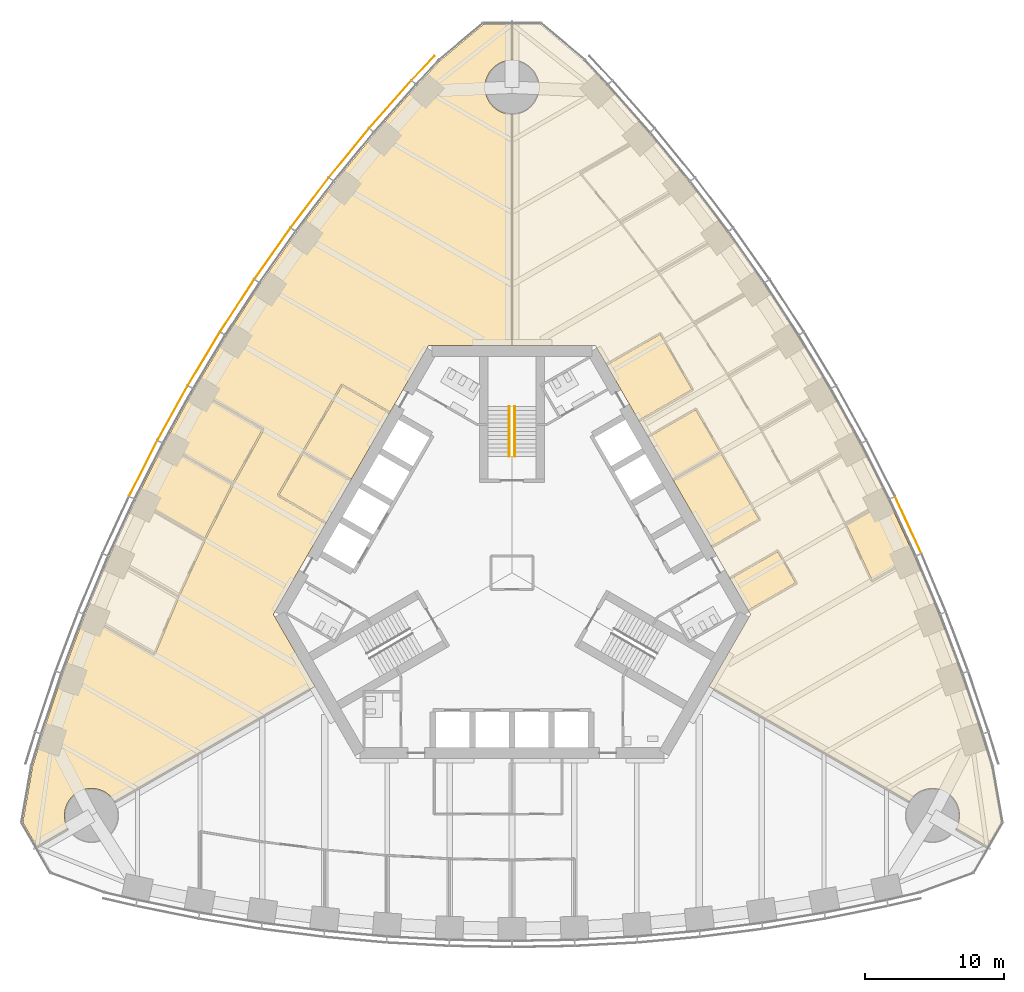
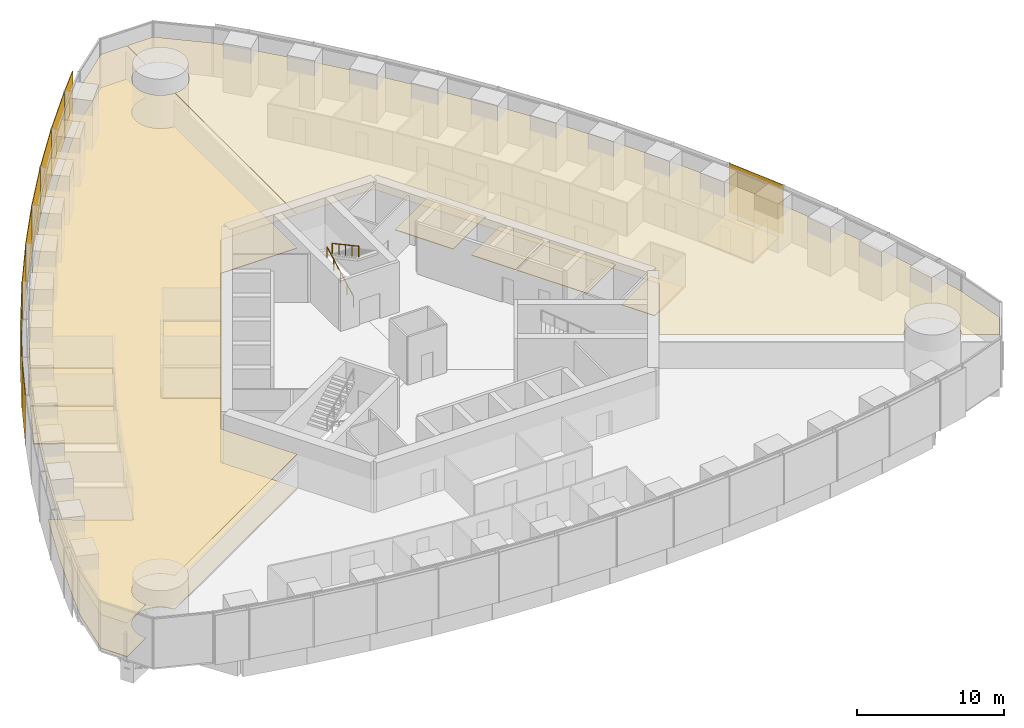
# One storey, part 15 of 18: 12 coverings, 10 shading devices, 2 railings.
"""IFC4 building model written with IfcOpenShell, lengths in metres."""

from ifc_helpers import new_model, si_unit, direction, frame, origin, origin_2d, place, context, subcontext, project, spatial, polyline, rectangle, circle, outline, extrude, material, layer, layer_set, type_object, element, save


model = new_model("IFC4")

# Units and contexts
model_context = context("Model", 3, precision=1e-05, world=origin(), true_north=direction((0.0, 1.0)))
body_context = subcontext(model_context, "Body", "Model", "MODEL_VIEW")
ifc_project = project(units=[si_unit("LENGTHUNIT", "METRE"), si_unit("AREAUNIT", "SQUARE_METRE"), si_unit("VOLUMEUNIT", "CUBIC_METRE"), si_unit("PLANEANGLEUNIT", "RADIAN"), si_unit("MASSUNIT", "GRAM", prefix="KILO")], contexts=[model_context])

# Site, building, storey
site_placement = place(None, origin())
site = spatial("IfcSite", under=ifc_project, at=site_placement, CompositionType="ELEMENT")
building_placement = place(site_placement, origin())
building = spatial("IfcBuilding", under=site, at=building_placement, Name="Trefoil Bronze Tower", CompositionType="ELEMENT")
storey_placement = place(building_placement, frame((0.0, 0.0, 157.699951171875)))
storey = spatial("IfcBuildingStorey", under=building, at=storey_placement, Name="L36", CompositionType="ELEMENT", Elevation=157.699951171875)

# Shading devices
ifc_material_1 = material(Name="Perforated bronze sheet", Category="bronze")
ifc_layer_1 = layer(ifc_material_1, 0.0400390625)
ifc_layer_set_1 = layer_set([ifc_layer_1], Name="Bronze solar screen panel")
shading_device_type = type_object("IfcShadingDeviceType", Name="Bronze solar screen panel", PredefinedType="SHUTTER", material=ifc_layer_set_1)
shading_device_1_placement = place(storey_placement, frame((28.563720703125, 3.444580078125, 0.050048828125), z_axis=(0.0, 0.0, 1.0), x_axis=(-0.419932995871, 0.907555110712, 0.0)))
element("IfcShadingDevice", 1, at=shading_device_1_placement, inside=storey, type_object=shading_device_type, Name="Solar screen CW-A L36 F2 bay 5", PredefinedType="SHUTTER", context=body_context, shape_type="SweptSolid", body=[
    extrude(rectangle(XDim=4.48828125, YDim=0.0400390625, at=origin_2d()), origin(), (0.0, 0.0, 1.0), 4.10009765625),
])
shading_device_2_placement = place(storey_placement, frame((-6.416748046875, 36.383544921875, 0.050048828125), z_axis=(0.0, 0.0, 1.0), x_axis=(-0.682535770759, -0.730852188636, 0.0)))
element("IfcShadingDevice", 2, at=shading_device_2_placement, inside=storey, type_object=shading_device_type, Name="Solar screen CW-A L36 F3 bay 1", PredefinedType="SHUTTER", context=body_context, shape_type="SweptSolid", body=[
    extrude(rectangle(XDim=2.39013671875, YDim=0.0400390625, at=origin_2d()), origin(), (0.0, 0.0, 1.0), 4.10009765625),
])
shading_device_3_placement = place(storey_placement, frame((-8.77197265625, 33.766845703125, 0.050048828125), z_axis=(0.0, 0.0, 1.0), x_axis=(-0.661751405978, -0.749723333428, 0.0)))
element("IfcShadingDevice", 3, at=shading_device_3_placement, inside=storey, type_object=shading_device_type, Name="Solar screen CW-A L36 F3 bay 2", PredefinedType="SHUTTER", context=body_context, shape_type="SweptSolid", body=[
    extrude(rectangle(XDim=4.56103515625, YDim=0.0400390625, at=origin_2d()), origin(), (0.0, 0.0, 1.0), 4.10009765625),
])
shading_device_4_placement = place(storey_placement, frame((-11.7490234375, 30.26708984375, 0.050048828125), z_axis=(0.0, 0.0, 1.0), x_axis=(-0.633839916024, -0.773464259584, 0.0)))
element("IfcShadingDevice", 4, at=shading_device_4_placement, inside=storey, type_object=shading_device_type, Name="Solar screen CW-A L36 F3 bay 3", PredefinedType="SHUTTER", context=body_context, shape_type="SweptSolid", body=[
    extrude(rectangle(XDim=4.5302734375, YDim=0.0400390625, at=origin_2d()), origin(), (0.0, 0.0, 1.0), 4.10009765625),
])
shading_device_5_placement = place(storey_placement, frame((-14.579345703125, 26.6826171875, 0.050048828125), z_axis=(0.0, 0.0, 1.0), x_axis=(-0.605252319983, -0.796033685943, 0.0)))
element("IfcShadingDevice", 5, at=shading_device_5_placement, inside=storey, type_object=shading_device_type, Name="Solar screen CW-A L36 F3 bay 4", PredefinedType="SHUTTER", context=body_context, shape_type="SweptSolid", body=[
    extrude(rectangle(XDim=4.50634765625, YDim=0.0400390625, at=origin_2d()), origin(), (0.0, 0.0, 1.0), 4.10009765625),
])
shading_device_6_placement = place(storey_placement, frame((-17.264892578125, 23.014404296875, 0.050048828125), z_axis=(0.0, 0.0, 1.0), x_axis=(-0.575999283275, -0.817450197667, 0.0)))
element("IfcShadingDevice", 6, at=shading_device_6_placement, inside=storey, type_object=shading_device_type, Name="Solar screen CW-A L36 F3 bay 5", PredefinedType="SHUTTER", context=body_context, shape_type="SweptSolid", body=[
    extrude(rectangle(XDim=4.48828125, YDim=0.0400390625, at=origin_2d()), origin(), (0.0, 0.0, 1.0), 4.10009765625),
])
shading_device_7_placement = place(storey_placement, frame((-19.8076171875, 19.263916015625, 0.050048828125), z_axis=(0.0, 0.0, 1.0), x_axis=(-0.546088612237, -0.837727418427, 0.0)))
element("IfcShadingDevice", 7, at=shading_device_7_placement, inside=storey, type_object=shading_device_type, Name="Solar screen CW-A L36 F3 bay 6", PredefinedType="SHUTTER", context=body_context, shape_type="SweptSolid", body=[
    extrude(rectangle(XDim=4.4765625, YDim=0.0400390625, at=origin_2d()), origin(), (0.0, 0.0, 1.0), 4.10009765625),
])
for number, where, z_axis, x_axis, name in (
    (8, (-22.208740234375, 15.431396484375, 0.050048828125), (0.0, 0.0, 1.0), (-0.515525413486, -0.856874289526, 0.0), "Solar screen CW-A L36 F3 bay 7"),
    (9, (-24.468505859375, 11.517578125, 0.050048828125), (0.0, 0.0, 1.0), (-0.484312195836, -0.874895249138, 0.0), "Solar screen CW-A L36 F3 bay 8"),
):
    element("IfcShadingDevice", number, at=place(storey_placement, frame(where, z_axis=z_axis, x_axis=x_axis)), inside=storey, type_object=shading_device_type, Name=name, PredefinedType="SHUTTER", context=body_context, shape_type="SweptSolid", body=[
        extrude(rectangle(XDim=4.470703125, YDim=0.0400390625, at=origin_2d()), origin(), (0.0, 0.0, 1.0), 4.10009765625),
    ])
shading_device_8_placement = place(storey_placement, frame((-26.5869140625, 7.52197265625, 0.050048828125), z_axis=(0.0, 0.0, 1.0), x_axis=(-0.452448919686, -0.891790320128, 0.0)))
element("IfcShadingDevice", 10, at=shading_device_8_placement, inside=storey, type_object=shading_device_type, Name="Solar screen CW-A L36 F3 bay 9", PredefinedType="SHUTTER", context=body_context, shape_type="SweptSolid", body=[
    extrude(rectangle(XDim=4.4765625, YDim=0.0400390625, at=origin_2d()), origin(), (0.0, 0.0, 1.0), 4.10009765625),
])

# Railings
ifc_material_2 = material(Name="Steel handrail", Category="steel")
railing_type = type_object("IfcRailingType", Name="Handrail 900", PredefinedType="HANDRAIL", material=ifc_material_2)
railing_1_placement = place(storey_placement, frame((-0.199951171875, 8.389892578125, 0.16162109375)))
element("IfcRailing", 11, at=railing_1_placement, inside=storey, type_object=railing_type, Name="Handrail ST2 flight 1 L36", PredefinedType="HANDRAIL", context=body_context, shape_type="SweptSolid", body=[
    extrude(circle(Radius=0.02392578125, at=origin_2d()), frame((0.0, 0.0, 0.8759765625), z_axis=(0.0, 0.880474934443, 0.474092701714), x_axis=(-1.0, 0.0, 0.0)), (0.0, 0.0, 1.0), 4.0888671875),
    extrude(circle(Radius=0.02099609375, at=origin_2d()), origin(), (0.0, 0.0, 1.0), 0.851806640625),
    extrude(circle(Radius=0.02099609375, at=origin_2d()), frame((0.0, 0.89990234375, 0.484619140625)), (0.0, 0.0, 1.0), 0.851806640625),
    extrude(circle(Radius=0.02099609375, at=origin_2d()), frame((0.0, 1.800048828125, 0.96923828125)), (0.0, 0.0, 1.0), 0.851806640625),
    extrude(circle(Radius=0.02099609375, at=origin_2d()), frame((0.0, 2.7001953125, 1.453857421875)), (0.0, 0.0, 1.0), 0.851806640625),
    extrude(circle(Radius=0.02099609375, at=origin_2d()), frame((0.0, 3.60009765625, 1.9384765625)), (0.0, 0.0, 1.0), 0.851806640625),
])
railing_2_placement = place(storey_placement, frame((0.199951171875, 11.989990234375, 2.261474609375)))
element("IfcRailing", 12, at=railing_2_placement, inside=storey, type_object=railing_type, Name="Handrail ST2 flight 2 L36", PredefinedType="HANDRAIL", context=body_context, shape_type="SweptSolid", body=[
    extrude(circle(Radius=0.02392578125, at=origin_2d()), frame((0.0, 0.0, 0.8759765625), z_axis=(0.0, -0.880474934443, 0.474092701714), x_axis=(1.0, 0.0, 0.0)), (0.0, 0.0, 1.0), 4.0888671875),
    extrude(circle(Radius=0.02099609375, at=origin_2d()), origin(), (0.0, 0.0, 1.0), 0.851806640625),
    extrude(circle(Radius=0.02099609375, at=origin_2d()), frame((0.0, -0.89990234375, 0.484619140625)), (0.0, 0.0, 1.0), 0.851806640625),
    extrude(circle(Radius=0.02099609375, at=origin_2d()), frame((0.0, -1.800048828125, 0.96923828125)), (0.0, 0.0, 1.0), 0.851806640625),
    extrude(circle(Radius=0.02099609375, at=origin_2d()), frame((0.0, -2.7001953125, 1.453857421875)), (0.0, 0.0, 1.0), 0.851806640625),
    extrude(circle(Radius=0.02099609375, at=origin_2d()), frame((0.0, -3.60009765625, 1.9384765625)), (0.0, 0.0, 1.0), 0.851806640625),
])

# Coverings
ifc_material_3 = material(Name="Acoustic ceiling panels", Category="mineral fibre")
ifc_layer_2 = layer(ifc_material_3, 0.02001953125)
ifc_layer_set_2 = layer_set([ifc_layer_2], Name="Office ceiling 20")
covering_type_1 = type_object("IfcCoveringType", Name="Office ceiling 20", PredefinedType="CEILING", material=ifc_layer_set_2)
covering_1_placement = place(storey_placement, frame((0.0, 0.0, 2.900146484375)))
element("IfcCovering", 13, at=covering_1_placement, inside=storey, type_object=covering_type_1, Name="Ceiling L36 Open-plan office F2", PredefinedType="CEILING", context=body_context, shape_type="SweptSolid", body=[
    extrude(outline(polyline([(6.847900390625, 35.130615234375), (9.885986328125, 31.6884765625), (12.776611328125, 28.1611328125), (15.522216796875, 24.55029296875), (18.124755859375, 20.856689453125), (20.585693359375, 17.081298828125), (22.906005859375, 13.224853515625), (25.085693359375, 9.287109375), (27.124755859375, 5.268310546875), (29.022216796875, 1.16748046875), (30.776611328125, -3.015625), (32.385986328125, -7.28271484375), (33.847900390625, -11.634765625), (34.5537109375, -13.94970703125), (35.2666015625, -17.99169921875), (34.247802734375, -19.755859375), (32.006103515625, -18.462646484375), (32.030517578125, -18.419189453125), (32.07373046875, -18.333740234375), (32.112548828125, -18.24609375), (32.14697265625, -18.156982421875), (32.177001953125, -18.066162109375), (32.202392578125, -17.973876953125), (32.223388671875, -17.88037109375), (32.23974609375, -17.7861328125), (32.25146484375, -17.691162109375), (32.258544921875, -17.595703125), (32.260986328125, -17.5), (32.258544921875, -17.404296875), (32.25146484375, -17.308837890625), (32.23974609375, -17.2138671875), (32.223388671875, -17.11962890625), (32.202392578125, -17.026123046875), (32.177001953125, -16.933837890625), (32.14697265625, -16.843017578125), (32.112548828125, -16.75390625), (32.07373046875, -16.666259765625), (32.030517578125, -16.580810546875), (31.9833984375, -16.49755859375), (31.932373046875, -16.41650390625), (31.877197265625, -16.33837890625), (31.818359375, -16.262939453125), (31.755615234375, -16.1904296875), (31.689697265625, -16.12109375), (31.620361328125, -16.05517578125), (31.548095703125, -15.99267578125), (31.472412109375, -15.93359375), (31.394287109375, -15.878662109375), (31.3134765625, -15.827392578125), (31.22998046875, -15.7802734375), (31.14453125, -15.7373046875), (31.05712890625, -15.698486328125), (30.9677734375, -15.6640625), (30.876953125, -15.634033203125), (30.78466796875, -15.6083984375), (30.69140625, -15.58740234375), (30.596923828125, -15.571044921875), (30.501953125, -15.559326171875), (30.406494140625, -15.55224609375), (30.310791015625, -15.550048828125), (30.215087890625, -15.55224609375), (30.119873046875, -15.559326171875), (30.02490234375, -15.571044921875), (29.930419921875, -15.58740234375), (29.837158203125, -15.6083984375), (29.744873046875, -15.634033203125), (29.654052734375, -15.6640625), (29.564697265625, -15.698486328125), (29.477294921875, -15.7373046875), (29.3916015625, -15.7802734375), (29.308349609375, -15.827392578125), (29.2275390625, -15.878662109375), (29.1494140625, -15.93359375), (29.07373046875, -15.99267578125), (29.001220703125, -16.05517578125), (28.931884765625, -16.12109375), (28.865966796875, -16.1904296875), (28.803466796875, -16.262939453125), (28.74462890625, -16.33837890625), (28.689453125, -16.41650390625), (28.628662109375, -16.514404296875), (14.205810546875, -8.194580078125), (17.205078125, -3.0), (6.00439453125, 16.39990234375), (0.006103515625, 16.39990234375), (0.012451171875, 33.05029296875), (0.095703125, 33.05224609375), (0.191162109375, 33.059326171875), (0.2861328125, 33.071044921875), (0.38037109375, 33.08740234375), (0.473876953125, 33.1083984375), (0.566162109375, 33.134033203125), (0.656982421875, 33.1640625), (0.74609375, 33.198486328125), (0.833740234375, 33.2373046875), (0.919189453125, 33.2802734375), (1.00244140625, 33.327392578125), (1.08349609375, 33.378662109375), (1.16162109375, 33.43359375), (1.237060546875, 33.49267578125), (1.3095703125, 33.55517578125), (1.37890625, 33.62109375), (1.44482421875, 33.6904296875), (1.50732421875, 33.762939453125), (1.56640625, 33.83837890625), (1.621337890625, 33.91650390625), (1.672607421875, 33.99755859375), (1.7197265625, 34.080810546875), (1.7626953125, 34.166259765625), (1.801513671875, 34.25390625), (1.8359375, 34.343017578125), (1.865966796875, 34.433837890625), (1.8916015625, 34.526123046875), (1.91259765625, 34.61962890625), (1.928955078125, 34.7138671875), (1.940673828125, 34.808837890625), (1.94775390625, 34.904296875), (1.949951171875, 35.0), (1.94775390625, 35.095703125), (1.940673828125, 35.191162109375), (1.928955078125, 35.2861328125), (1.91259765625, 35.38037109375), (1.8916015625, 35.473876953125), (1.865966796875, 35.566162109375), (1.8359375, 35.656982421875), (1.801513671875, 35.74609375), (1.7626953125, 35.833740234375), (1.7197265625, 35.919189453125), (1.672607421875, 36.00244140625), (1.621337890625, 36.08349609375), (1.56640625, 36.16162109375), (1.50732421875, 36.237060546875), (1.44482421875, 36.3095703125), (1.37890625, 36.37890625), (1.3095703125, 36.44482421875), (1.237060546875, 36.50732421875), (1.16162109375, 36.56640625), (1.08349609375, 36.621337890625), (1.00244140625, 36.672607421875), (0.919189453125, 36.7197265625), (0.833740234375, 36.7626953125), (0.74609375, 36.801513671875), (0.656982421875, 36.8359375), (0.566162109375, 36.865966796875), (0.473876953125, 36.8916015625), (0.38037109375, 36.91259765625), (0.2861328125, 36.928955078125), (0.191162109375, 36.940673828125), (0.095703125, 36.94775390625), (0.013916015625, 36.94970703125), (0.014892578125, 39.53759765625), (2.052001953125, 39.53759765625), (5.1962890625, 36.8994140625), (6.847900390625, 35.130615234375)])), origin(), (0.0, 0.0, 1.0), 0.02001953125),
])
covering_2_placement = place(storey_placement, frame((0.0, 0.0, 2.900146484375)))
element("IfcCovering", 14, at=covering_2_placement, inside=storey, type_object=covering_type_1, Name="Ceiling L36 Open-plan office F3", PredefinedType="CEILING", context=body_context, shape_type="SweptSolid", body=[
    extrude(outline(polyline([(-33.847900390625, -11.634765625), (-32.385986328125, -7.28271484375), (-30.776611328125, -3.015625), (-29.022216796875, 1.16748046875), (-27.124755859375, 5.268310546875), (-25.085693359375, 9.287109375), (-22.906005859375, 13.224853515625), (-20.585693359375, 17.081298828125), (-18.124755859375, 20.856689453125), (-15.522216796875, 24.55029296875), (-12.776611328125, 28.1611328125), (-9.885986328125, 31.6884765625), (-6.847900390625, 35.130615234375), (-5.1962890625, 36.8994140625), (-2.052001953125, 39.53759765625), (-0.014892578125, 39.53759765625), (-0.013916015625, 36.94970703125), (-0.095703125, 36.94775390625), (-0.191162109375, 36.940673828125), (-0.2861328125, 36.928955078125), (-0.38037109375, 36.91259765625), (-0.473876953125, 36.8916015625), (-0.566162109375, 36.865966796875), (-0.656982421875, 36.8359375), (-0.74609375, 36.801513671875), (-0.833740234375, 36.7626953125), (-0.919189453125, 36.7197265625), (-1.00244140625, 36.672607421875), (-1.08349609375, 36.621337890625), (-1.16162109375, 36.56640625), (-1.237060546875, 36.50732421875), (-1.3095703125, 36.44482421875), (-1.37890625, 36.37890625), (-1.44482421875, 36.3095703125), (-1.50732421875, 36.237060546875), (-1.56640625, 36.16162109375), (-1.621337890625, 36.08349609375), (-1.672607421875, 36.00244140625), (-1.7197265625, 35.919189453125), (-1.7626953125, 35.833740234375), (-1.801513671875, 35.74609375), (-1.8359375, 35.656982421875), (-1.865966796875, 35.566162109375), (-1.8916015625, 35.473876953125), (-1.91259765625, 35.38037109375), (-1.928955078125, 35.2861328125), (-1.940673828125, 35.191162109375), (-1.94775390625, 35.095703125), (-1.949951171875, 35.0), (-1.94775390625, 34.904296875), (-1.940673828125, 34.808837890625), (-1.928955078125, 34.7138671875), (-1.91259765625, 34.61962890625), (-1.8916015625, 34.526123046875), (-1.865966796875, 34.433837890625), (-1.8359375, 34.343017578125), (-1.801513671875, 34.25390625), (-1.7626953125, 34.166259765625), (-1.7197265625, 34.080810546875), (-1.672607421875, 33.99755859375), (-1.621337890625, 33.91650390625), (-1.56640625, 33.83837890625), (-1.50732421875, 33.762939453125), (-1.44482421875, 33.6904296875), (-1.37890625, 33.62109375), (-1.3095703125, 33.55517578125), (-1.237060546875, 33.49267578125), (-1.16162109375, 33.43359375), (-1.08349609375, 33.378662109375), (-1.00244140625, 33.327392578125), (-0.919189453125, 33.2802734375), (-0.833740234375, 33.2373046875), (-0.74609375, 33.198486328125), (-0.656982421875, 33.1640625), (-0.566162109375, 33.134033203125), (-0.473876953125, 33.1083984375), (-0.38037109375, 33.08740234375), (-0.2861328125, 33.071044921875), (-0.191162109375, 33.059326171875), (-0.095703125, 33.05224609375), (-0.012451171875, 33.05029296875), (-0.006103515625, 16.39990234375), (-6.00439453125, 16.39990234375), (-17.205078125, -3.0), (-14.205810546875, -8.194580078125), (-28.628662109375, -16.514404296875), (-28.689453125, -16.41650390625), (-28.74462890625, -16.33837890625), (-28.803466796875, -16.262939453125), (-28.865966796875, -16.1904296875), (-28.931884765625, -16.12109375), (-29.001220703125, -16.05517578125), (-29.07373046875, -15.99267578125), (-29.1494140625, -15.93359375), (-29.2275390625, -15.878662109375), (-29.308349609375, -15.827392578125), (-29.3916015625, -15.7802734375), (-29.477294921875, -15.7373046875), (-29.564697265625, -15.698486328125), (-29.654052734375, -15.6640625), (-29.744873046875, -15.634033203125), (-29.837158203125, -15.6083984375), (-29.930419921875, -15.58740234375), (-30.02490234375, -15.571044921875), (-30.119873046875, -15.559326171875), (-30.215087890625, -15.55224609375), (-30.310791015625, -15.550048828125), (-30.406494140625, -15.55224609375), (-30.501953125, -15.559326171875), (-30.596923828125, -15.571044921875), (-30.69140625, -15.58740234375), (-30.78466796875, -15.6083984375), (-30.876953125, -15.634033203125), (-30.9677734375, -15.6640625), (-31.05712890625, -15.698486328125), (-31.14453125, -15.7373046875), (-31.22998046875, -15.7802734375), (-31.3134765625, -15.827392578125), (-31.394287109375, -15.878662109375), (-31.472412109375, -15.93359375), (-31.548095703125, -15.99267578125), (-31.620361328125, -16.05517578125), (-31.689697265625, -16.12109375), (-31.755615234375, -16.1904296875), (-31.818359375, -16.262939453125), (-31.877197265625, -16.33837890625), (-31.932373046875, -16.41650390625), (-31.9833984375, -16.49755859375), (-32.030517578125, -16.580810546875), (-32.07373046875, -16.666259765625), (-32.112548828125, -16.75390625), (-32.14697265625, -16.843017578125), (-32.177001953125, -16.933837890625), (-32.202392578125, -17.026123046875), (-32.223388671875, -17.11962890625), (-32.23974609375, -17.2138671875), (-32.25146484375, -17.308837890625), (-32.258544921875, -17.404296875), (-32.260986328125, -17.5), (-32.258544921875, -17.595703125), (-32.25146484375, -17.691162109375), (-32.23974609375, -17.7861328125), (-32.223388671875, -17.88037109375), (-32.202392578125, -17.973876953125), (-32.177001953125, -18.066162109375), (-32.14697265625, -18.156982421875), (-32.112548828125, -18.24609375), (-32.07373046875, -18.333740234375), (-32.030517578125, -18.419189453125), (-32.006103515625, -18.462646484375), (-34.247802734375, -19.755859375), (-35.2666015625, -17.99169921875), (-34.5537109375, -13.94970703125), (-33.847900390625, -11.634765625)])), origin(), (0.0, 0.0, 1.0), 0.02001953125),
])
ifc_material_4 = material(Name="Raised access floor panels", Category="steel")
ifc_layer_3 = layer(ifc_material_4, 0.050048828125)
ifc_layer_set_3 = layer_set([ifc_layer_3], Name="Raised access floor 150")
covering_type_2 = type_object("IfcCoveringType", Name="Raised access floor 150", PredefinedType="FLOORING", material=ifc_layer_set_3)
covering_3_placement = place(storey_placement, frame((0.0, 0.0, 0.10009765625)))
element("IfcCovering", 15, at=covering_3_placement, inside=storey, type_object=covering_type_2, Name="Raised floor L36 Reception F2", PredefinedType="FLOORING", context=body_context, shape_type="SweptSolid", body=[
    extrude(outline(polyline([(6.834716796875, 14.9619140625), (10.679931640625, 17.181884765625), (12.969970703125, 13.215576171875), (9.124755859375, 10.99560546875), (6.834716796875, 14.9619140625)])), origin(), (0.0, 0.0, 1.0), 0.050048828125),
])
covering_4_placement = place(storey_placement, frame((0.0, 0.0, 0.10009765625)))
element("IfcCovering", 16, at=covering_4_placement, inside=storey, type_object=covering_type_2, Name="Raised floor L36 Meeting room F2", PredefinedType="FLOORING", context=body_context, shape_type="SweptSolid", body=[
    extrude(outline(polyline([(11.634765625, 6.64794921875), (15.046875, 8.617919921875), (17.786865234375, 3.872314453125), (14.374755859375, 1.902099609375), (11.634765625, 6.64794921875)])), origin(), (0.0, 0.0, 1.0), 0.050048828125),
])
covering_5_placement = place(storey_placement, frame((0.0, 0.0, 0.10009765625)))
element("IfcCovering", 17, at=covering_5_placement, inside=storey, type_object=covering_type_2, Name="Raised floor L36 Meeting room F2", PredefinedType="FLOORING", context=body_context, shape_type="SweptSolid", body=[
    extrude(outline(polyline([(9.834716796875, 9.765625), (13.246826171875, 11.735595703125), (14.98681640625, 8.721923828125), (11.57470703125, 6.751953125), (9.834716796875, 9.765625)])), origin(), (0.0, 0.0, 1.0), 0.050048828125),
])
covering_6_placement = place(storey_placement, frame((0.0, 0.0, 0.10009765625)))
element("IfcCovering", 18, at=covering_6_placement, inside=storey, type_object=covering_type_2, Name="Raised floor L36 Pantry F2", PredefinedType="FLOORING", context=body_context, shape_type="SweptSolid", body=[
    extrude(outline(polyline([(15.734619140625, -0.453369140625), (19.14697265625, 1.5166015625), (20.43701171875, -0.7177734375), (17.024658203125, -2.687744140625), (15.734619140625, -0.453369140625)])), origin(), (0.0, 0.0, 1.0), 0.050048828125),
])
covering_7_placement = place(storey_placement, frame((0.0, 0.0, 0.10009765625)))
element("IfcCovering", 19, at=covering_7_placement, inside=storey, type_object=covering_type_2, Name="Raised floor L36 Comms room F2", PredefinedType="FLOORING", context=body_context, shape_type="SweptSolid", body=[
    extrude(outline(polyline([(27.124755859375, 5.268310546875), (29.022216796875, 1.16748046875), (27.602294921875, 0.347900390625), (27.572509765625, 0.399658203125), (25.9619140625, -0.530029296875), (24.114990234375, 3.461181640625), (25.739501953125, 4.399169921875), (25.709716796875, 4.451171875), (27.124755859375, 5.268310546875)])), origin(), (0.0, 0.0, 1.0), 0.050048828125),
])
covering_8_placement = place(storey_placement, frame((0.0, 0.0, 0.10009765625)))
element("IfcCovering", 20, at=covering_8_placement, inside=storey, type_object=covering_type_2, Name="Raised floor L36 Meeting room F3", PredefinedType="FLOORING", context=body_context, shape_type="SweptSolid", body=[
    extrude(outline(polyline([(-11.57470703125, 6.751953125), (-14.98681640625, 8.721923828125), (-12.246826171875, 13.4677734375), (-8.834716796875, 11.497802734375), (-11.57470703125, 6.751953125)])), origin(), (0.0, 0.0, 1.0), 0.050048828125),
])
covering_9_placement = place(storey_placement, frame((0.0, 0.0, 0.10009765625)))
element("IfcCovering", 21, at=covering_9_placement, inside=storey, type_object=covering_type_2, Name="Raised floor L36 Meeting room F3", PredefinedType="FLOORING", context=body_context, shape_type="SweptSolid", body=[
    extrude(outline(polyline([(-13.374755859375, 3.63427734375), (-16.786865234375, 5.604248046875), (-15.046875, 8.617919921875), (-11.634765625, 6.64794921875), (-13.374755859375, 3.63427734375)])), origin(), (0.0, 0.0, 1.0), 0.050048828125),
])
covering_10_placement = place(storey_placement, frame((0.0, 0.0, 0.10009765625)))
element("IfcCovering", 22, at=covering_10_placement, inside=storey, type_object=covering_type_2, Name="Raised floor L36 Office F3", PredefinedType="FLOORING", context=body_context, shape_type="SweptSolid", body=[
    extrude(outline(polyline([(-25.085693359375, 9.287109375), (-22.906005859375, 13.224853515625), (-21.494384765625, 12.409912109375), (-21.5244140625, 12.35791015625), (-18.007568359375, 10.327392578125), (-20.129150390625, 6.49462890625), (-23.643310546875, 8.523681640625), (-23.67333984375, 8.4716796875), (-25.085693359375, 9.287109375)])), origin(), (0.0, 0.0, 1.0), 0.050048828125),
])
covering_11_placement = place(storey_placement, frame((0.0, 0.0, 0.10009765625)))
element("IfcCovering", 23, at=covering_11_placement, inside=storey, type_object=covering_type_2, Name="Raised floor L36 Office F3", PredefinedType="FLOORING", context=body_context, shape_type="SweptSolid", body=[
    extrude(outline(polyline([(-27.124755859375, 5.268310546875), (-25.085693359375, 9.287109375), (-23.67333984375, 8.4716796875), (-23.703369140625, 8.419677734375), (-20.185302734375, 6.388671875), (-22.170166015625, 2.476806640625), (-25.6796875, 4.503173828125), (-25.709716796875, 4.451171875), (-27.124755859375, 5.268310546875)])), origin(), (0.0, 0.0, 1.0), 0.050048828125),
])
covering_12_placement = place(storey_placement, frame((0.0, 0.0, 0.10009765625)))
element("IfcCovering", 24, at=covering_12_placement, inside=storey, type_object=covering_type_2, Name="Raised floor L36 Open-plan office F3", PredefinedType="FLOORING", context=body_context, shape_type="SweptSolid", body=[
    extrude(outline(polyline([(-32.385986328125, -7.28271484375), (-30.776611328125, -3.015625), (-29.350341796875, -3.839111328125), (-29.38037109375, -3.89111328125), (-25.8271484375, -5.942626953125), (-25.797119140625, -5.890625), (-25.74169921875, -5.913818359375), (-23.98779296875, -1.731689453125), (-22.09130859375, 2.3671875), (-20.05322265625, 6.384033203125), (-17.873779296875, 10.32080078125), (-17.926513671875, 10.349853515625), (-17.896484375, 10.40185546875), (-21.464599609375, 12.4619140625), (-21.494384765625, 12.409912109375), (-22.906005859375, 13.224853515625), (-20.585693359375, 17.081298828125), (-18.124755859375, 20.856689453125), (-15.522216796875, 24.55029296875), (-12.776611328125, 28.1611328125), (-9.885986328125, 31.6884765625), (-6.847900390625, 35.130615234375), (-5.1962890625, 36.8994140625), (-2.052001953125, 39.53759765625), (-0.014892578125, 39.53759765625), (-0.013916015625, 36.94970703125), (-0.095703125, 36.94775390625), (-0.191162109375, 36.940673828125), (-0.2861328125, 36.928955078125), (-0.38037109375, 36.91259765625), (-0.473876953125, 36.8916015625), (-0.566162109375, 36.865966796875), (-0.656982421875, 36.8359375), (-0.74609375, 36.801513671875), (-0.833740234375, 36.7626953125), (-0.919189453125, 36.7197265625), (-1.00244140625, 36.672607421875), (-1.08349609375, 36.621337890625), (-1.16162109375, 36.56640625), (-1.237060546875, 36.50732421875), (-1.3095703125, 36.44482421875), (-1.37890625, 36.37890625), (-1.44482421875, 36.3095703125), (-1.50732421875, 36.237060546875), (-1.56640625, 36.16162109375), (-1.621337890625, 36.08349609375), (-1.672607421875, 36.00244140625), (-1.7197265625, 35.919189453125), (-1.7626953125, 35.833740234375), (-1.801513671875, 35.74609375), (-1.8359375, 35.656982421875), (-1.865966796875, 35.566162109375), (-1.8916015625, 35.473876953125), (-1.91259765625, 35.38037109375), (-1.928955078125, 35.2861328125), (-1.940673828125, 35.191162109375), (-1.94775390625, 35.095703125), (-1.949951171875, 35.0), (-1.94775390625, 34.904296875), (-1.940673828125, 34.808837890625), (-1.928955078125, 34.7138671875), (-1.91259765625, 34.61962890625), (-1.8916015625, 34.526123046875), (-1.865966796875, 34.433837890625), (-1.8359375, 34.343017578125), (-1.801513671875, 34.25390625), (-1.7626953125, 34.166259765625), (-1.7197265625, 34.080810546875), (-1.672607421875, 33.99755859375), (-1.621337890625, 33.91650390625), (-1.56640625, 33.83837890625), (-1.50732421875, 33.762939453125), (-1.44482421875, 33.6904296875), (-1.37890625, 33.62109375), (-1.3095703125, 33.55517578125), (-1.237060546875, 33.49267578125), (-1.16162109375, 33.43359375), (-1.08349609375, 33.378662109375), (-1.00244140625, 33.327392578125), (-0.919189453125, 33.2802734375), (-0.833740234375, 33.2373046875), (-0.74609375, 33.198486328125), (-0.656982421875, 33.1640625), (-0.566162109375, 33.134033203125), (-0.473876953125, 33.1083984375), (-0.38037109375, 33.08740234375), (-0.2861328125, 33.071044921875), (-0.191162109375, 33.059326171875), (-0.095703125, 33.05224609375), (-0.012451171875, 33.05029296875), (-0.006103515625, 16.39990234375), (-6.00439453125, 16.39990234375), (-8.774658203125, 11.601806640625), (-12.23876953125, 13.601806640625), (-12.268798828125, 13.5498046875), (-12.32080078125, 13.57958984375), (-16.9208984375, 5.6123046875), (-16.868896484375, 5.582275390625), (-16.898681640625, 5.5302734375), (-13.434814453125, 3.5302734375), (-17.205078125, -3.0), (-14.205810546875, -8.194580078125), (-28.628662109375, -16.514404296875), (-28.689453125, -16.41650390625), (-28.74462890625, -16.33837890625), (-28.803466796875, -16.262939453125), (-28.865966796875, -16.1904296875), (-28.931884765625, -16.12109375), (-29.001220703125, -16.05517578125), (-29.07373046875, -15.99267578125), (-29.1494140625, -15.93359375), (-29.2275390625, -15.878662109375), (-29.308349609375, -15.827392578125), (-29.3916015625, -15.7802734375), (-29.477294921875, -15.7373046875), (-29.564697265625, -15.698486328125), (-29.654052734375, -15.6640625), (-29.744873046875, -15.634033203125), (-29.837158203125, -15.6083984375), (-29.930419921875, -15.58740234375), (-30.02490234375, -15.571044921875), (-30.119873046875, -15.559326171875), (-30.215087890625, -15.55224609375), (-30.310791015625, -15.550048828125), (-30.406494140625, -15.55224609375), (-30.501953125, -15.559326171875), (-30.596923828125, -15.571044921875), (-30.69140625, -15.58740234375), (-30.78466796875, -15.6083984375), (-30.876953125, -15.634033203125), (-30.9677734375, -15.6640625), (-31.05712890625, -15.698486328125), (-31.14453125, -15.7373046875), (-31.22998046875, -15.7802734375), (-31.3134765625, -15.827392578125), (-31.394287109375, -15.878662109375), (-31.472412109375, -15.93359375), (-31.548095703125, -15.99267578125), (-31.620361328125, -16.05517578125), (-31.689697265625, -16.12109375), (-31.755615234375, -16.1904296875), (-31.818359375, -16.262939453125), (-31.877197265625, -16.33837890625), (-31.932373046875, -16.41650390625), (-31.9833984375, -16.49755859375), (-32.030517578125, -16.580810546875), (-32.07373046875, -16.666259765625), (-32.112548828125, -16.75390625), (-32.14697265625, -16.843017578125), (-32.177001953125, -16.933837890625), (-32.202392578125, -17.026123046875), (-32.223388671875, -17.11962890625), (-32.23974609375, -17.2138671875), (-32.25146484375, -17.308837890625), (-32.258544921875, -17.404296875), (-32.260986328125, -17.5), (-32.258544921875, -17.595703125), (-32.25146484375, -17.691162109375), (-32.23974609375, -17.7861328125), (-32.223388671875, -17.88037109375), (-32.202392578125, -17.973876953125), (-32.177001953125, -18.066162109375), (-32.14697265625, -18.156982421875), (-32.112548828125, -18.24609375), (-32.07373046875, -18.333740234375), (-32.030517578125, -18.419189453125), (-32.006103515625, -18.462646484375), (-34.247802734375, -19.755859375), (-35.2666015625, -17.99169921875), (-34.5537109375, -13.94970703125), (-33.847900390625, -11.634765625), (-32.385986328125, -7.28271484375)])), origin(), (0.0, 0.0, 1.0), 0.050048828125),
])

save(model, "model.ifc")
